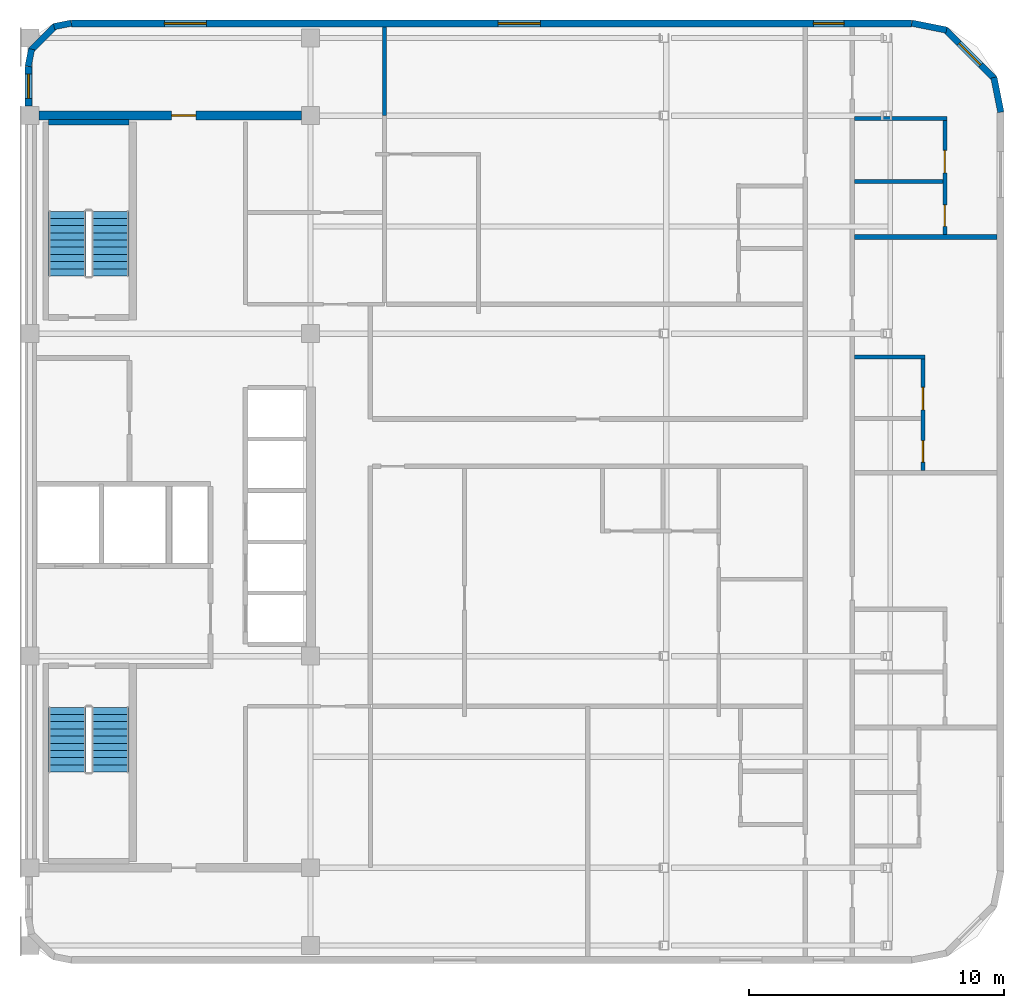
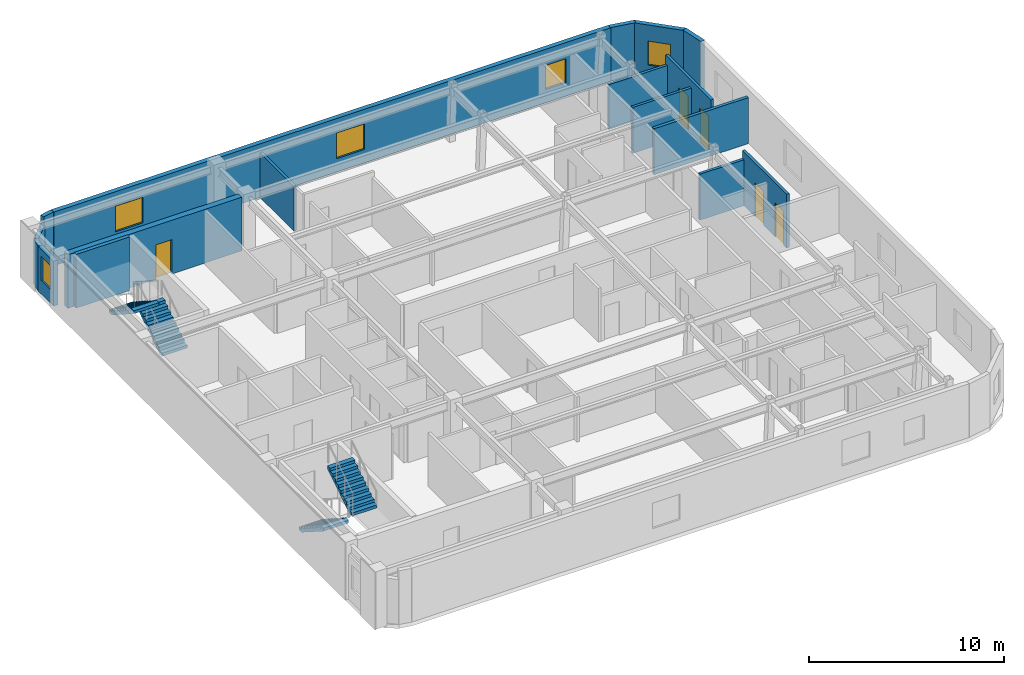
# One storey, part 5 of 6: 17 walls, 5 doors, 5 windows, 4 stair flights, 10 openings, 2 elements without a shape of their own.
"""IFC4 building model written with IfcOpenShell, lengths in metres."""

from ifc_helpers import new_model, si_unit, direction, frame, frame_2d, origin, place, context, subcontext, project, spatial, polyline, rectangle, outline, extrude, material, layer, layer_set, type_object, element, fill, aggregate, save


model = new_model("IFC4")

# Units and contexts
model_context = context("Model", 3, precision=1e-05, world=origin(), true_north=direction((0.0, 1.0)))
body_context = subcontext(model_context, "Body", "Model", "MODEL_VIEW")
ifc_project = project(units=[si_unit("LENGTHUNIT", "METRE"), si_unit("AREAUNIT", "SQUARE_METRE"), si_unit("VOLUMEUNIT", "CUBIC_METRE"), si_unit("PLANEANGLEUNIT", "RADIAN"), si_unit("MASSUNIT", "GRAM", prefix="KILO")], contexts=[model_context])

# Site, building, storey
site_placement = place(None, origin())
site = spatial("IfcSite", under=ifc_project, at=site_placement, CompositionType="ELEMENT")
building_placement = place(site_placement, origin())
building = spatial("IfcBuilding", under=site, at=building_placement, Name="Ochreholt Gables", CompositionType="ELEMENT")
storey_placement = place(building_placement, frame((0.0, 0.0, 260.39990234375)))
storey = spatial("IfcBuildingStorey", under=building, at=storey_placement, Name="L68", CompositionType="ELEMENT", Elevation=260.39990234375)

# Wall, opening, door
ifc_material_1 = material(Name="Concrete 50 MPa", Category="concrete")
ifc_layer_1 = layer(ifc_material_1, 0.35009765625, Name="Concrete 50 MPa")
ifc_layer_set_1 = layer_set([ifc_layer_1], Name="Concrete 50 MPa")
wall_type_1 = type_object("IfcWallType", Name="WALL-CSW-350", PredefinedType="SHEAR", material=ifc_layer_set_1)
wall_1_placement = place(storey_placement, frame((24.550048828125, 38.75, 0.0), z_axis=(0.0, 0.0, 1.0), x_axis=(1.0, 0.0, 0.0)))
wall_1 = element("IfcWall", 1, at=wall_1_placement, inside=storey, type_object=wall_type_1, Name="L68 Core North Shear Wall", PredefinedType="SHEAR", context=body_context, shape_type="SweptSolid", body=[
    extrude(rectangle(XDim=10.300048828125, YDim=0.35009765625, at=frame_2d((5.14990234375, 0.0))), origin(), (0.0, 0.0, 1.0), 3.360107421875),
])
opening_1_placement = place(wall_1_placement, frame((5.199951171875, 0.0, 0.0)))
opening_1 = element("IfcOpeningElement", 2, at=opening_1_placement, cuts=wall_1, Name="Opening D-FL2", PredefinedType="OPENING", context=body_context, shape_type="SweptSolid", body=[
    extrude(rectangle(XDim=0.949951171875, YDim=2.14990234375, at=frame_2d((0.47509765625, 1.074951171875))), frame((0.0, 0.18505859375, 0.0), z_axis=(0.0, -1.0, 0.0), x_axis=(1.0, 0.0, 0.0)), (0.0, 0.0, 1.0), 0.3701171875),
])
ifc_material_2 = material(Name="Hollow Metal Steel", Category="steel")
door_type_1 = type_object("IfcDoorType", Name="DR-INT-FLB950", OperationType="NOTDEFINED", PredefinedType="DOOR", material=ifc_material_2)
door_1_placement = place(opening_1_placement, origin())
door_1 = element("IfcDoor", 3, at=door_1_placement, inside=storey, type_object=door_type_1, Name="L68 Door D-C3NSR-L68", OperationType="SINGLE_SWING_RIGHT", OverallHeight=2.14990234375, OverallWidth=0.949951171875, PredefinedType="DOOR", context=body_context, shape_type="SweptSolid", body=[
    extrude(rectangle(XDim=0.949951171875, YDim=2.14990234375, at=frame_2d((0.47509765625, 1.074951171875))), frame((0.0, 0.02490234375, 0.0), z_axis=(0.0, -1.0, 0.0), x_axis=(1.0, 0.0, 0.0)), (0.0, 0.0, 1.0), 0.050048828125),
])
fill(opening_1, door_1)

# Wall, openings, windows
ifc_material_3 = material(Name="Precast concrete 40 MPa", Category="concrete")
ifc_layer_2 = layer(ifc_material_3, 0.27001953125, Name="Precast concrete 40 MPa")
ifc_layer_set_2 = layer_set([ifc_layer_2], Name="Precast concrete 40 MPa")
wall_type_2 = type_object("IfcWallType", Name="WALL-EXT-270", PredefinedType="SOLIDWALL", material=ifc_layer_set_2)
wall_2_placement = place(storey_placement, frame((58.780029296875, 42.364990234375, 0.0), z_axis=(0.0, 0.0, 1.0), x_axis=(-1.0, 0.0, 0.0)))
wall_2 = element("IfcWall", 4, at=wall_2_placement, inside=storey, type_object=wall_type_2, Name="L68 North Exterior Wall", PredefinedType="SOLIDWALL", context=body_context, shape_type="SweptSolid", body=[
    extrude(rectangle(XDim=32.9599609375, YDim=0.27001953125, at=frame_2d((16.47998046875, 0.0))), origin(), (0.0, 0.0, 1.0), 3.360107421875),
])
opening_2_placement = place(wall_2_placement, frame((27.6650390625, 0.0, 0.85009765625)))
opening_2 = element("IfcOpeningElement", 5, at=opening_2_placement, cuts=wall_2, Name="Opening WN-7", PredefinedType="OPENING", context=body_context, shape_type="SweptSolid", body=[
    extrude(rectangle(XDim=1.64990234375, YDim=1.60009765625, at=frame_2d((0.824951171875, 0.800048828125))), frame((0.0, 0.14501953125, 0.0), z_axis=(0.0, -1.0, 0.0), x_axis=(1.0, 0.0, 0.0)), (0.0, 0.0, 1.0), 0.2900390625),
])
opening_3_placement = place(wall_2_placement, frame((14.568603515625, 0.0, 0.85009765625)))
opening_3 = element("IfcOpeningElement", 6, at=opening_3_placement, cuts=wall_2, Name="Opening WN-7", PredefinedType="OPENING", context=body_context, shape_type="SweptSolid", body=[
    extrude(rectangle(XDim=1.64990234375, YDim=1.60009765625, at=frame_2d((0.824951171875, 0.800048828125))), frame((0.0, 0.14501953125, 0.0), z_axis=(0.0, -1.0, 0.0), x_axis=(1.0, 0.0, 0.0)), (0.0, 0.0, 1.0), 0.2900390625),
])
opening_4_placement = place(wall_2_placement, frame((2.655029296875, 0.0, 0.85009765625)))
opening_4 = element("IfcOpeningElement", 7, at=opening_4_placement, cuts=wall_2, Name="Opening WN-3", PredefinedType="OPENING", context=body_context, shape_type="SweptSolid", body=[
    extrude(rectangle(XDim=1.199951171875, YDim=1.5, at=frame_2d((0.60009765625, 0.75))), frame((0.0, 0.14501953125, 0.0), z_axis=(0.0, -1.0, 0.0), x_axis=(1.0, 0.0, 0.0)), (0.0, 0.0, 1.0), 0.2900390625),
])
ifc_material_4 = material(Name="Triple-Glazed Thermally Broken Aluminium Window", Category="aluminium")
window_type_1 = type_object("IfcWindowType", Name="WIN-RES-1200", PartitioningType="SINGLE_PANEL", PredefinedType="WINDOW", material=ifc_material_4)
window_1_placement = place(opening_4_placement, origin())
window_1 = element("IfcWindow", 8, at=window_1_placement, inside=storey, type_object=window_type_1, Name="L68 Window W-EXT-N-L68-3", OverallHeight=1.5, OverallWidth=1.199951171875, PartitioningType="SINGLE_PANEL", PredefinedType="WINDOW", context=body_context, shape_type="SweptSolid", body=[
    extrude(rectangle(XDim=1.199951171875, YDim=1.5, at=frame_2d((0.60009765625, 0.75))), frame((0.0, 0.030029296875, 0.0), z_axis=(0.0, -1.0, 0.0), x_axis=(1.0, 0.0, 0.0)), (0.0, 0.0, 1.0), 0.06005859375),
])
fill(opening_4, window_1)
window_type_2 = type_object("IfcWindowType", Name="WIN-RES-1650", PartitioningType="SINGLE_PANEL", PredefinedType="WINDOW", material=ifc_material_4)
window_2_placement = place(opening_2_placement, origin())
window_2 = element("IfcWindow", 9, at=window_2_placement, inside=storey, type_object=window_type_2, Name="L68 Window W-EXT-N-L68-1", OverallHeight=1.60009765625, OverallWidth=1.64990234375, PartitioningType="SINGLE_PANEL", PredefinedType="WINDOW", context=body_context, shape_type="SweptSolid", body=[
    extrude(rectangle(XDim=1.64990234375, YDim=1.60009765625, at=frame_2d((0.824951171875, 0.800048828125))), frame((0.0, 0.030029296875, 0.0), z_axis=(0.0, -1.0, 0.0), x_axis=(1.0, 0.0, 0.0)), (0.0, 0.0, 1.0), 0.06005859375),
])
fill(opening_2, window_2)
window_3_placement = place(opening_3_placement, origin())
window_3 = element("IfcWindow", 10, at=window_3_placement, inside=storey, type_object=window_type_2, Name="L68 Window W-EXT-N-L68-2", OverallHeight=1.60009765625, OverallWidth=1.64990234375, PartitioningType="SINGLE_PANEL", PredefinedType="WINDOW", context=body_context, shape_type="SweptSolid", body=[
    extrude(rectangle(XDim=1.64990234375, YDim=1.60009765625, at=frame_2d((0.824951171875, 0.800048828125))), frame((0.0, 0.030029296875, 0.0), z_axis=(0.0, -1.0, 0.0), x_axis=(1.0, 0.0, 0.0)), (0.0, 0.0, 1.0), 0.06005859375),
])
fill(opening_3, window_3)

# Wall, opening, window
wall_3_placement = place(storey_placement, frame((24.135009765625, 39.1201171875, 0.0), z_axis=(0.0, 0.0, 1.0), x_axis=(0.0, 1.0, 0.0)))
wall_3 = element("IfcWall", 11, at=wall_3_placement, inside=storey, type_object=wall_type_2, Name="L68 West Facade North Bay Wall", PredefinedType="SOLIDWALL", context=body_context, shape_type="SweptSolid", body=[
    extrude(rectangle(XDim=1.559814453125, YDim=0.27001953125, at=frame_2d((0.77978515625, 0.0))), origin(), (0.0, 0.0, 1.0), 2.802978515625),
])
opening_5_placement = place(wall_3_placement, frame((0.304931640625, 0.0, 0.85009765625)))
opening_5 = element("IfcOpeningElement", 12, at=opening_5_placement, cuts=wall_3, Name="Opening WN-10", PredefinedType="OPENING", context=body_context, shape_type="SweptSolid", body=[
    extrude(rectangle(XDim=0.949951171875, YDim=1.5, at=frame_2d((0.47509765625, 0.75))), frame((0.0, 0.14501953125, 0.0), z_axis=(0.0, -1.0, 0.0), x_axis=(1.0, 0.0, 0.0)), (0.0, 0.0, 1.0), 0.2900390625),
])
window_type_3 = type_object("IfcWindowType", Name="WIN-RES-950", PartitioningType="SINGLE_PANEL", PredefinedType="WINDOW", material=ifc_material_4)
window_4_placement = place(opening_5_placement, origin())
window_4 = element("IfcWindow", 13, at=window_4_placement, inside=storey, type_object=window_type_3, Name="L68 North Sky Reading West Window", OverallHeight=1.5, OverallWidth=0.949951171875, PartitioningType="SINGLE_PANEL", PredefinedType="WINDOW", context=body_context, shape_type="SweptSolid", body=[
    extrude(rectangle(XDim=0.949951171875, YDim=1.5, at=frame_2d((0.47509765625, 0.75))), frame((0.0, 0.030029296875, 0.0), z_axis=(0.0, -1.0, 0.0), x_axis=(1.0, 0.0, 0.0)), (0.0, 0.0, 1.0), 0.06005859375),
])
fill(opening_5, window_4)

# Wall
ifc_layer_3 = layer(ifc_material_3, 0.25, Name="Precast concrete 40 MPa")
ifc_layer_set_3 = layer_set([ifc_layer_3], Name="Precast concrete 40 MPa")
wall_type_3 = type_object("IfcWallType", Name="WALL-EXT-CNR", PredefinedType="SOLIDWALL", material=ifc_layer_set_3)
wall_4_placement = place(storey_placement, frame((62.27587890625, 38.883544921875, 0.0), z_axis=(0.0, 0.0, 1.0), x_axis=(-0.195135625965, 0.9807762678, 0.0)))
element("IfcWall", 14, at=wall_4_placement, inside=storey, type_object=wall_type_3, Name="L68 Rounded Corner Wall NE-1", PredefinedType="SOLIDWALL", context=body_context, shape_type="SweptSolid", body=[
    extrude(rectangle(XDim=1.388671875, YDim=0.25, at=frame_2d((0.6943359375, 0.0))), origin(), (0.0, 0.0, 1.0), 3.360107421875),
])

# Wall, opening, window
wall_5_placement = place(storey_placement, frame((62.031982421875, 40.195068359375, 0.0), z_axis=(0.0, 0.0, 1.0), x_axis=(-0.707106781187, 0.707106781187, 0.0)))
wall_5 = element("IfcWall", 15, at=wall_5_placement, inside=storey, type_object=wall_type_3, Name="L68 Rounded Corner Wall NE-2", PredefinedType="SOLIDWALL", context=body_context, shape_type="SweptSolid", body=[
    extrude(rectangle(XDim=2.7392578125, YDim=0.25, at=frame_2d((1.36962890625, 0.0))), origin(), (0.0, 0.0, 1.0), 3.360107421875),
])
opening_6_placement = place(wall_5_placement, frame((0.769775390625, 0.0, 0.85009765625)))
opening_6 = element("IfcOpeningElement", 16, at=opening_6_placement, cuts=wall_5, Name="Opening WN-3", PredefinedType="OPENING", context=body_context, shape_type="SweptSolid", body=[
    extrude(rectangle(XDim=1.199951171875, YDim=1.5, at=frame_2d((0.60009765625, 0.75))), frame((0.0, 0.135009765625, 0.0), z_axis=(0.0, -1.0, 0.0), x_axis=(1.0, 0.0, 0.0)), (0.0, 0.0, 1.0), 0.27001953125),
])
window_5_placement = place(opening_6_placement, origin())
window_5 = element("IfcWindow", 17, at=window_5_placement, inside=storey, type_object=window_type_1, Name="L68 Corner Bedroom Window NE", OverallHeight=1.5, OverallWidth=1.199951171875, PartitioningType="SINGLE_PANEL", PredefinedType="WINDOW", context=body_context, shape_type="SweptSolid", body=[
    extrude(rectangle(XDim=1.199951171875, YDim=1.5, at=frame_2d((0.60009765625, 0.75))), frame((0.0, 0.030029296875, 0.0), z_axis=(0.0, -1.0, 0.0), x_axis=(1.0, 0.0, 0.0)), (0.0, 0.0, 1.0), 0.06005859375),
])
fill(opening_6, window_5)

# Walls
wall_6_placement = place(storey_placement, frame((60.1455078125, 42.10498046875, 0.0), z_axis=(0.0, 0.0, 1.0), x_axis=(-0.980809899341, 0.19496651342, 0.0)))
element("IfcWall", 18, at=wall_6_placement, inside=storey, type_object=wall_type_3, Name="L68 Rounded Corner Wall NE-3", PredefinedType="SOLIDWALL", context=body_context, shape_type="SweptSolid", body=[
    extrude(rectangle(XDim=1.388671875, YDim=0.25, at=frame_2d((0.6943359375, 0.0))), origin(), (0.0, 0.0, 1.0), 3.360107421875),
])
wall_7_placement = place(storey_placement, frame((25.81640625, 42.375732421875, 0.0), z_axis=(0.0, 0.0, 1.0), x_axis=(-0.980812594069, -0.194952956674, 0.0)))
element("IfcWall", 19, at=wall_7_placement, inside=storey, type_object=wall_type_3, Name="L68 Rounded Corner Wall NW-1", PredefinedType="SOLIDWALL", context=body_context, shape_type="SweptSolid", body=[
    extrude(rectangle(XDim=0.686279296875, YDim=0.25, at=frame_2d((0.34326171875, 0.0))), origin(), (0.0, 0.0, 1.0), 3.360107421875),
])
wall_8_placement = place(storey_placement, frame((25.19384765625, 42.26904296875, 0.0), z_axis=(0.0, 0.0, 1.0), x_axis=(-0.707106781187, -0.707106781187, 0.0)))
element("IfcWall", 20, at=wall_8_placement, inside=storey, type_object=wall_type_3, Name="L68 Rounded Corner Wall NW-2", PredefinedType="SOLIDWALL", context=body_context, shape_type="SweptSolid", body=[
    extrude(rectangle(XDim=1.36181640625, YDim=0.25, at=frame_2d((0.680908203125, 0.0))), origin(), (0.0, 0.0, 1.0), 2.802978515625),
])
wall_9_placement = place(storey_placement, frame((24.258056640625, 41.356689453125, 0.0), z_axis=(0.0, 0.0, 1.0), x_axis=(-0.194952956674, -0.980812594069, 0.0)))
element("IfcWall", 21, at=wall_9_placement, inside=storey, type_object=wall_type_3, Name="L68 Rounded Corner Wall NW-3", PredefinedType="SOLIDWALL", context=body_context, shape_type="SweptSolid", body=[
    extrude(rectangle(XDim=0.686279296875, YDim=0.25, at=frame_2d((0.34326171875, 0.0))), origin(), (0.0, 0.0, 1.0), 2.802978515625),
])
ifc_material_5 = material(Name="Double-Stud Acoustic Demising Wall", Category="gypsum")
ifc_layer_4 = layer(ifc_material_5, 0.18505859375, Name="Double-Stud Acoustic Demising Wall")
ifc_layer_set_4 = layer_set([ifc_layer_4], Name="Double-Stud Acoustic Demising Wall")
wall_type_4 = type_object("IfcWallType", Name="WALL-INT-DM185", PredefinedType="PARTITIONING", material=ifc_layer_set_4)
wall_10_placement = place(storey_placement, frame((56.5400390625, 33.989990234375, 0.0), z_axis=(0.0, 0.0, 1.0), x_axis=(1.0, 0.0, 0.0)))
element("IfcWall", 22, at=wall_10_placement, inside=storey, type_object=wall_type_4, Name="L68 Interior Wall WI-C3UDE4-L68", PredefinedType="PARTITIONING", context=body_context, shape_type="SweptSolid", body=[
    extrude(rectangle(XDim=5.58984375, YDim=0.18505859375, at=frame_2d((2.794921875, 0.0))), origin(), (0.0, 0.0, 1.0), 2.879150390625),
])
ifc_material_6 = material(Name="Moisture-Resistant Plumbing Chase Wall", Category="gypsum")
ifc_layer_5 = layer(ifc_material_6, 0.159912109375, Name="Moisture-Resistant Plumbing Chase Wall")
ifc_layer_set_5 = layer_set([ifc_layer_5], Name="Moisture-Resistant Plumbing Chase Wall")
wall_type_5 = type_object("IfcWallType", Name="WALL-INT-PL160", PredefinedType="PLUMBINGWALL", material=ifc_layer_set_5)
wall_11_placement = place(storey_placement, frame((56.5400390625, 29.280029296875, 0.0), z_axis=(0.0, 0.0, 1.0), x_axis=(1.0, 0.0, 0.0)))
element("IfcWall", 23, at=wall_11_placement, inside=storey, type_object=wall_type_5, Name="L68 Interior Wall WU-L68E3-WYN", PredefinedType="PLUMBINGWALL", context=body_context, shape_type="SweptSolid", body=[
    extrude(rectangle(XDim=2.758056640625, YDim=0.159912109375, at=frame_2d((1.37890625, 0.0))), origin(), (0.0, 0.0, 1.0), 2.879150390625),
])

# Wall, openings, doors
wall_12_placement = place(storey_placement, frame((59.218017578125, 24.83251953125, 0.0), z_axis=(0.0, 0.0, 1.0), x_axis=(0.0, 1.0, 0.0)))
wall_12 = element("IfcWall", 24, at=wall_12_placement, inside=storey, type_object=wall_type_5, Name="L68 Interior Wall WU-L68E3-WX", PredefinedType="PLUMBINGWALL", context=body_context, shape_type="SweptSolid", body=[
    extrude(rectangle(XDim=4.53759765625, YDim=0.159912109375, at=frame_2d((2.268798828125, 0.0))), origin(), (0.0, 0.0, 1.0), 3.360107421875),
])
opening_7_placement = place(wall_12_placement, frame((0.327392578125, 0.0, 0.0)))
opening_7 = element("IfcOpeningElement", 25, at=opening_7_placement, cuts=wall_12, Name="Opening D-BT2", PredefinedType="OPENING", context=body_context, shape_type="SweptSolid", body=[
    extrude(rectangle(XDim=0.840087890625, YDim=2.1201171875, at=frame_2d((0.419921875, 1.06005859375))), frame((0.0, 0.08984375, 0.0), z_axis=(0.0, -1.0, 0.0), x_axis=(1.0, 0.0, 0.0)), (0.0, 0.0, 1.0), 0.179931640625),
])
opening_8_placement = place(wall_12_placement, frame((2.37451171875, 0.0, 0.0)))
opening_8 = element("IfcOpeningElement", 26, at=opening_8_placement, cuts=wall_12, Name="Opening D-GN2", PredefinedType="OPENING", context=body_context, shape_type="SweptSolid", body=[
    extrude(rectangle(XDim=0.8798828125, YDim=2.1201171875, at=frame_2d((0.43994140625, 1.06005859375))), frame((0.0, 0.08984375, 0.0), z_axis=(0.0, -1.0, 0.0), x_axis=(1.0, 0.0, 0.0)), (0.0, 0.0, 1.0), 0.179931640625),
])
ifc_material_7 = material(Name="Engineered Oak Timber", Category="wood")
door_type_2 = type_object("IfcDoorType", Name="DR-INT-BTH840", OperationType="NOTDEFINED", PredefinedType="DOOR", material=ifc_material_7)
door_2_placement = place(opening_7_placement, origin())
door_2 = element("IfcDoor", 27, at=door_2_placement, inside=storey, type_object=door_type_2, Name="L68 Door D-U-L68E3-BTH", OperationType="SINGLE_SWING_LEFT", OverallHeight=2.1201171875, OverallWidth=0.840087890625, PredefinedType="DOOR", context=body_context, shape_type="SweptSolid", body=[
    extrude(rectangle(XDim=0.840087890625, YDim=2.1201171875, at=frame_2d((0.419921875, 1.06005859375))), frame((0.0, 0.02490234375, 0.0), z_axis=(0.0, -1.0, 0.0), x_axis=(1.0, 0.0, 0.0)), (0.0, 0.0, 1.0), 0.050048828125),
])
fill(opening_7, door_2)
door_type_3 = type_object("IfcDoorType", Name="DR-INT-GEN880", OperationType="NOTDEFINED", PredefinedType="DOOR", material=ifc_material_7)
door_3_placement = place(opening_8_placement, origin())
door_3 = element("IfcDoor", 28, at=door_3_placement, inside=storey, type_object=door_type_3, Name="L68 Door D-U-L68E3-KIT", OperationType="SINGLE_SWING_RIGHT", OverallHeight=2.1201171875, OverallWidth=0.8798828125, PredefinedType="DOOR", context=body_context, shape_type="SweptSolid", body=[
    extrude(rectangle(XDim=0.8798828125, YDim=2.1201171875, at=frame_2d((0.43994140625, 1.06005859375))), frame((0.0, 0.02490234375, 0.0), z_axis=(0.0, -1.0, 0.0), x_axis=(1.0, 0.0, 0.0)), (0.0, 0.0, 1.0), 0.050048828125),
])
fill(opening_8, door_3)

# Wall
wall_13_placement = place(storey_placement, frame((56.5400390625, 38.6298828125, 0.0), z_axis=(0.0, 0.0, 1.0), x_axis=(1.0, 0.0, 0.0)))
element("IfcWall", 29, at=wall_13_placement, inside=storey, type_object=wall_type_5, Name="L68 Interior Wall WU-L68E4-WYN", PredefinedType="PLUMBINGWALL", context=body_context, shape_type="SweptSolid", body=[
    extrude(rectangle(XDim=3.6201171875, YDim=0.159912109375, at=frame_2d((1.81005859375, 0.0))), origin(), (0.0, 0.0, 1.0), 2.802978515625),
])

# Wall, openings, doors
wall_14_placement = place(storey_placement, frame((60.080078125, 34.08251953125, 0.0), z_axis=(0.0, 0.0, 1.0), x_axis=(0.0, 1.0, 0.0)))
wall_14 = element("IfcWall", 30, at=wall_14_placement, inside=storey, type_object=wall_type_5, Name="L68 Interior Wall WU-L68E4-WX", PredefinedType="PLUMBINGWALL", context=body_context, shape_type="SweptSolid", body=[
    extrude(rectangle(XDim=4.637451171875, YDim=0.159912109375, at=frame_2d((2.31884765625, 0.0))), origin(), (0.0, 0.0, 1.0), 3.360107421875),
])
opening_9_placement = place(wall_14_placement, frame((0.327392578125, 0.0, 0.0)))
opening_9 = element("IfcOpeningElement", 31, at=opening_9_placement, cuts=wall_14, Name="Opening D-BT2", PredefinedType="OPENING", context=body_context, shape_type="SweptSolid", body=[
    extrude(rectangle(XDim=0.840087890625, YDim=2.1201171875, at=frame_2d((0.419921875, 1.06005859375))), frame((0.0, 0.08984375, 0.0), z_axis=(0.0, -1.0, 0.0), x_axis=(1.0, 0.0, 0.0)), (0.0, 0.0, 1.0), 0.179931640625),
])
opening_10_placement = place(wall_14_placement, frame((2.42041015625, 0.0, 0.0)))
opening_10 = element("IfcOpeningElement", 32, at=opening_10_placement, cuts=wall_14, Name="Opening D-GN2", PredefinedType="OPENING", context=body_context, shape_type="SweptSolid", body=[
    extrude(rectangle(XDim=0.8798828125, YDim=2.1201171875, at=frame_2d((0.43994140625, 1.06005859375))), frame((0.0, 0.08984375, 0.0), z_axis=(0.0, -1.0, 0.0), x_axis=(1.0, 0.0, 0.0)), (0.0, 0.0, 1.0), 0.179931640625),
])
door_4_placement = place(opening_9_placement, origin())
door_4 = element("IfcDoor", 33, at=door_4_placement, inside=storey, type_object=door_type_2, Name="L68 Door D-U-L68E4-BTH", OperationType="SINGLE_SWING_RIGHT", OverallHeight=2.1201171875, OverallWidth=0.840087890625, PredefinedType="DOOR", context=body_context, shape_type="SweptSolid", body=[
    extrude(rectangle(XDim=0.840087890625, YDim=2.1201171875, at=frame_2d((0.419921875, 1.06005859375))), frame((0.0, 0.02490234375, 0.0), z_axis=(0.0, -1.0, 0.0), x_axis=(1.0, 0.0, 0.0)), (0.0, 0.0, 1.0), 0.050048828125),
])
fill(opening_9, door_4)
door_5_placement = place(opening_10_placement, origin())
door_5 = element("IfcDoor", 34, at=door_5_placement, inside=storey, type_object=door_type_3, Name="L68 Door D-U-L68E4-KIT", OperationType="SINGLE_SWING_LEFT", OverallHeight=2.1201171875, OverallWidth=0.8798828125, PredefinedType="DOOR", context=body_context, shape_type="SweptSolid", body=[
    extrude(rectangle(XDim=0.8798828125, YDim=2.1201171875, at=frame_2d((0.43994140625, 1.06005859375))), frame((0.0, 0.02490234375, 0.0), z_axis=(0.0, -1.0, 0.0), x_axis=(1.0, 0.0, 0.0)), (0.0, 0.0, 1.0), 0.050048828125),
])
fill(opening_10, door_5)

# Walls
wall_15_placement = place(storey_placement, frame((56.5400390625, 36.173095703125, 0.0), z_axis=(0.0, 0.0, 1.0), x_axis=(1.0, 0.0, 0.0)))
element("IfcWall", 35, at=wall_15_placement, inside=storey, type_object=wall_type_5, Name="L68 Interior Wall WU-L68E4-WM", PredefinedType="PLUMBINGWALL", context=body_context, shape_type="SweptSolid", body=[
    extrude(rectangle(XDim=3.460205078125, YDim=0.159912109375, at=frame_2d((1.72998046875, 0.0))), origin(), (0.0, 0.0, 1.0), 2.879150390625),
])
ifc_material_8 = material(Name="Lightweight Stud Partition", Category="gypsum")
ifc_layer_6 = layer(ifc_material_8, 0.14501953125, Name="Lightweight Stud Partition")
ifc_layer_set_6 = layer_set([ifc_layer_6], Name="Lightweight Stud Partition")
wall_type_6 = type_object("IfcWallType", Name="WALL-INT-PT145", PredefinedType="PARTITIONING", material=ifc_layer_set_6)
wall_16_placement = place(storey_placement, frame((38.10009765625, 38.75, 0.0), z_axis=(0.0, 0.0, 1.0), x_axis=(0.0, 1.0, 0.0)))
element("IfcWall", 36, at=wall_16_placement, inside=storey, type_object=wall_type_6, Name="L68 Interior Wall WI-C3NMW-L68", PredefinedType="PARTITIONING", context=body_context, shape_type="SweptSolid", body=[
    extrude(rectangle(XDim=3.47998046875, YDim=0.14501953125, at=frame_2d((1.739990234375, 0.0))), origin(), (0.0, 0.0, 1.0), 2.802978515625),
])
ifc_layer_7 = layer(ifc_material_1, 0.219970703125, Name="Concrete 50 MPa")
ifc_layer_set_7 = layer_set([ifc_layer_7], Name="Concrete 50 MPa")
wall_type_7 = type_object("IfcWallType", Name="WALL-STW-220", PredefinedType="SHEAR", material=ifc_layer_set_7)
wall_17_placement = place(storey_placement, frame((24.919921875, 38.489990234375, 0.0), z_axis=(0.0, 0.0, 1.0), x_axis=(1.0, 0.0, 0.0)))
element("IfcWall", 37, at=wall_17_placement, inside=storey, type_object=wall_type_7, Name="L68 Exit Stair 2 North Wall", PredefinedType="SHEAR", context=body_context, shape_type="SweptSolid", body=[
    extrude(rectangle(XDim=3.16015625, YDim=0.219970703125, at=frame_2d((1.580078125, 0.0))), origin(), (0.0, 0.0, 1.0), 3.360107421875),
])

# Stair, stair flights
ifc_material_9 = material(Name="Concrete 40 MPa", Category="concrete")
stair_type_1 = type_object("IfcStairType", Name="STAIR-CORE-ST-1", PredefinedType="HALF_TURN_STAIR", material=ifc_material_9)
stair_1_placement = place(storey_placement, origin())
stair_1 = element("IfcStair", 38, at=stair_1_placement, inside=storey, type_object=stair_type_1, Name="L68 Core Exit Stair 1", PredefinedType="HALF_TURN_STAIR")
stair_flight_type = type_object("IfcStairFlightType", Name="FLIGHT-ST-1480-1800", PredefinedType="STRAIGHT", material=ifc_material_9)
stair_flight_1_placement = place(storey_placement, frame((25.659912109375, 15.5400390625, 0.0), z_axis=(0.0, 0.0, 1.0), x_axis=(0.0, -1.0, 0.0)))
stair_flight_1 = element("IfcStairFlight", 39, at=stair_flight_1_placement, type_object=stair_flight_type, Name="ST-1 flight 1", NumberOfRisers=10, NumberOfTreads=9, PredefinedType="STRAIGHT", RiserHeight=0.18, TreadLength=0.282, context=body_context, shape_type="SweptSolid", body=[
    extrude(outline(polyline([(0.0, 0.0), (0.0, 0.179931640625), (0.281982421875, 0.179931640625), (0.281982421875, 0.360107421875), (0.56396484375, 0.360107421875), (0.56396484375, 0.5400390625), (0.845947265625, 0.5400390625), (0.845947265625, 0.719970703125), (1.1279296875, 0.719970703125), (1.1279296875, 0.89990234375), (1.409912109375, 0.89990234375), (1.409912109375, 1.080078125), (1.69189453125, 1.080078125), (1.69189453125, 1.260009765625), (1.97412109375, 1.260009765625), (1.97412109375, 1.43994140625), (2.256103515625, 1.43994140625), (2.256103515625, 1.6201171875), (2.5380859375, 1.6201171875), (2.5380859375, 1.800048828125), (2.5380859375, 1.442138671875), (0.278564453125, 0.0), (0.0, 0.0)])), frame((0.0, 0.739990234375, 0.0), z_axis=(0.0, -1.0, 0.0), x_axis=(1.0, 0.0, 0.0)), (0.0, 0.0, 1.0), 1.47998046875),
])
stair_flight_2_placement = place(storey_placement, frame((27.340087890625, 13.001953125, 1.800048828125), z_axis=(0.0, 0.0, 1.0), x_axis=(0.0, 1.0, 0.0)))
stair_flight_2 = element("IfcStairFlight", 40, at=stair_flight_2_placement, type_object=stair_flight_type, Name="ST-1 flight 2", NumberOfRisers=10, NumberOfTreads=9, PredefinedType="STRAIGHT", RiserHeight=0.18, TreadLength=0.282, context=body_context, shape_type="SweptSolid", body=[
    extrude(outline(polyline([(0.0, 0.0), (0.0, 0.179931640625), (0.281982421875, 0.179931640625), (0.281982421875, 0.360107421875), (0.56396484375, 0.360107421875), (0.56396484375, 0.5400390625), (0.845947265625, 0.5400390625), (0.845947265625, 0.719970703125), (1.1279296875, 0.719970703125), (1.1279296875, 0.89990234375), (1.409912109375, 0.89990234375), (1.409912109375, 1.080078125), (1.69189453125, 1.080078125), (1.69189453125, 1.260009765625), (1.97412109375, 1.260009765625), (1.97412109375, 1.43994140625), (2.256103515625, 1.43994140625), (2.256103515625, 1.6201171875), (2.5380859375, 1.6201171875), (2.5380859375, 1.800048828125), (2.5380859375, 1.442138671875), (0.278564453125, 0.0), (0.0, 0.0)])), frame((0.0, 0.739990234375, 0.0), z_axis=(0.0, -1.0, 0.0), x_axis=(1.0, 0.0, 0.0)), (0.0, 0.0, 1.0), 1.47998046875),
])
aggregate(stair_1, [stair_flight_1, stair_flight_2])

stair_type_2 = type_object("IfcStairType", Name="STAIR-CORE-ST-2", PredefinedType="HALF_TURN_STAIR", material=ifc_material_9)
stair_2_placement = place(storey_placement, origin())
stair_2 = element("IfcStair", 41, at=stair_2_placement, inside=storey, type_object=stair_type_2, Name="L68 Core Exit Stair 2", PredefinedType="HALF_TURN_STAIR")
stair_flight_3_placement = place(storey_placement, frame((27.340087890625, 32.4599609375, 0.0), z_axis=(0.0, 0.0, 1.0), x_axis=(0.0, 1.0, 0.0)))
stair_flight_3 = element("IfcStairFlight", 42, at=stair_flight_3_placement, type_object=stair_flight_type, Name="ST-2 flight 1", NumberOfRisers=10, NumberOfTreads=9, PredefinedType="STRAIGHT", RiserHeight=0.18, TreadLength=0.282, context=body_context, shape_type="SweptSolid", body=[
    extrude(outline(polyline([(0.0, 0.0), (0.0, 0.179931640625), (0.281982421875, 0.179931640625), (0.281982421875, 0.360107421875), (0.56396484375, 0.360107421875), (0.56396484375, 0.5400390625), (0.845947265625, 0.5400390625), (0.845947265625, 0.719970703125), (1.1279296875, 0.719970703125), (1.1279296875, 0.89990234375), (1.409912109375, 0.89990234375), (1.409912109375, 1.080078125), (1.69189453125, 1.080078125), (1.69189453125, 1.260009765625), (1.97412109375, 1.260009765625), (1.97412109375, 1.43994140625), (2.256103515625, 1.43994140625), (2.256103515625, 1.6201171875), (2.5380859375, 1.6201171875), (2.5380859375, 1.800048828125), (2.5380859375, 1.442138671875), (0.278564453125, 0.0), (0.0, 0.0)])), frame((0.0, 0.739990234375, 0.0), z_axis=(0.0, -1.0, 0.0), x_axis=(1.0, 0.0, 0.0)), (0.0, 0.0, 1.0), 1.47998046875),
])
stair_flight_4_placement = place(storey_placement, frame((25.659912109375, 34.998046875, 1.800048828125), z_axis=(0.0, 0.0, 1.0), x_axis=(0.0, -1.0, 0.0)))
stair_flight_4 = element("IfcStairFlight", 43, at=stair_flight_4_placement, type_object=stair_flight_type, Name="ST-2 flight 2", NumberOfRisers=10, NumberOfTreads=9, PredefinedType="STRAIGHT", RiserHeight=0.18, TreadLength=0.282, context=body_context, shape_type="SweptSolid", body=[
    extrude(outline(polyline([(0.0, 0.0), (0.0, 0.179931640625), (0.281982421875, 0.179931640625), (0.281982421875, 0.360107421875), (0.56396484375, 0.360107421875), (0.56396484375, 0.5400390625), (0.845947265625, 0.5400390625), (0.845947265625, 0.719970703125), (1.1279296875, 0.719970703125), (1.1279296875, 0.89990234375), (1.409912109375, 0.89990234375), (1.409912109375, 1.080078125), (1.69189453125, 1.080078125), (1.69189453125, 1.260009765625), (1.97412109375, 1.260009765625), (1.97412109375, 1.43994140625), (2.256103515625, 1.43994140625), (2.256103515625, 1.6201171875), (2.5380859375, 1.6201171875), (2.5380859375, 1.800048828125), (2.5380859375, 1.442138671875), (0.278564453125, 0.0), (0.0, 0.0)])), frame((0.0, 0.739990234375, 0.0), z_axis=(0.0, -1.0, 0.0), x_axis=(1.0, 0.0, 0.0)), (0.0, 0.0, 1.0), 1.47998046875),
])
aggregate(stair_2, [stair_flight_3, stair_flight_4])

save(model, "model.ifc")
